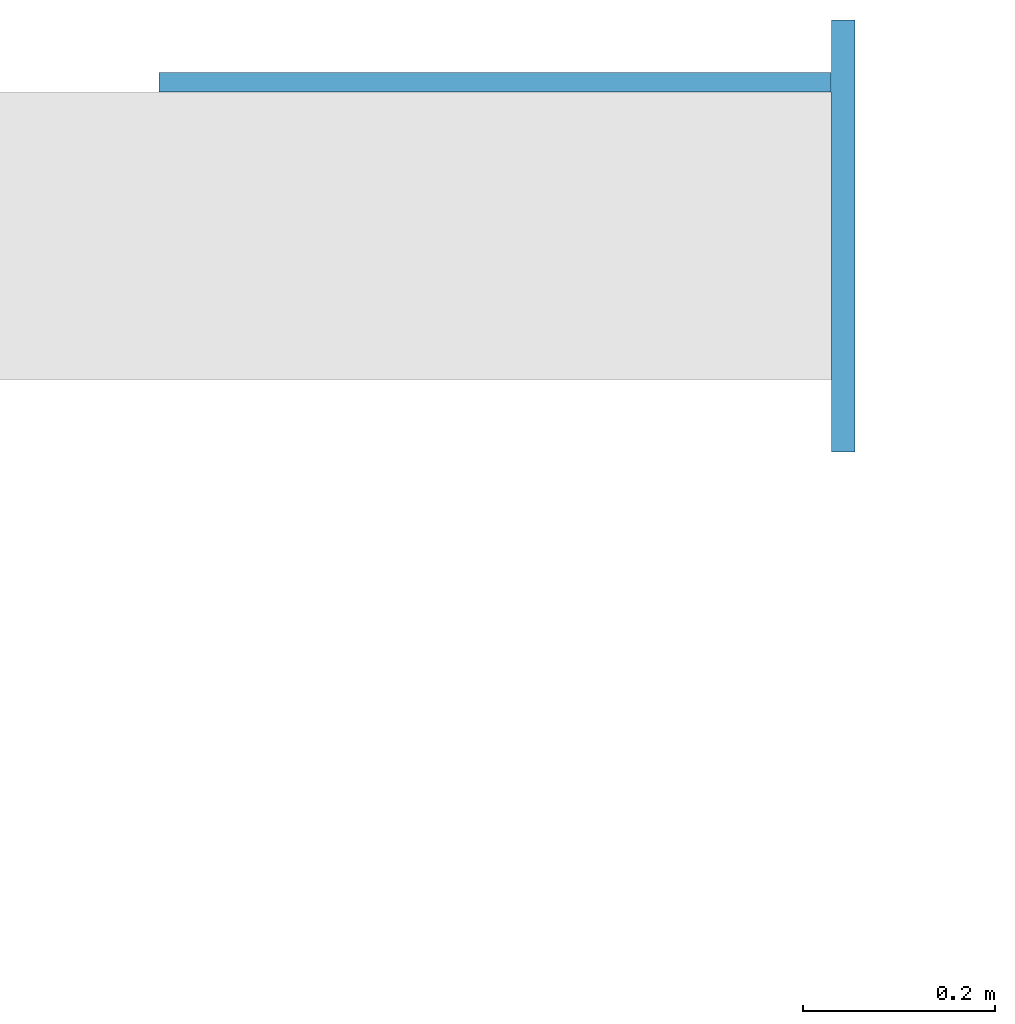
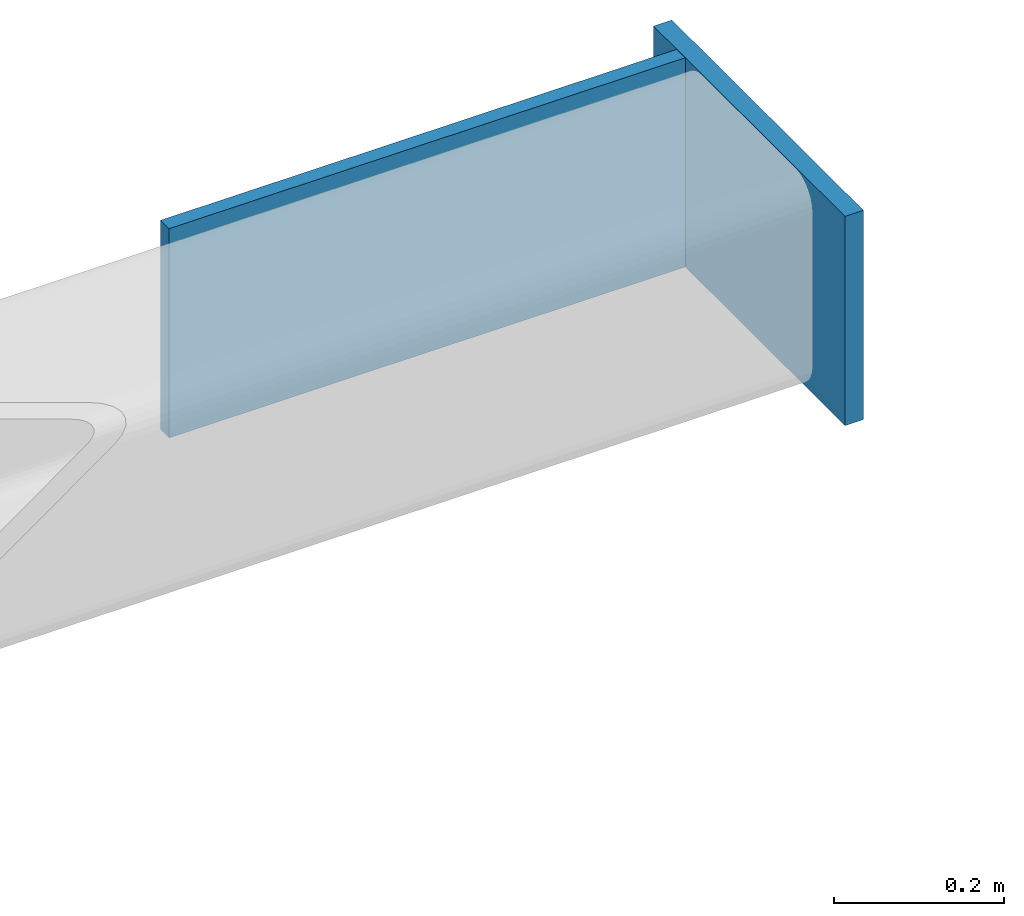
# One storey, part 3 of 20: 2 plates.
"""IFC4 building model written with IfcOpenShell, lengths in metres."""

import ifcopenshell
import ifcopenshell.guid

model = None  # the IFC model being written
_history = None  # IfcOwnerHistory: only IFC2X3 demands one
_inside = {}  # id of a spatial element -> (the spatial element, [elements in it])
_under = {}  # id of a project, library or spatial element -> (it, [spatial elements below it])
_declared = {}  # id of a project -> (the project, [libraries it declares])
_typed = {}  # id of a type object -> (the type object, [elements of that type])
_made_of = {}  # id of a material, layer set ... -> (it, [elements and type objects made of it])


def new_model(schema):
    """Start an empty IFC model of exactly this schema.

    Asked for "IFC4X3", IfcOpenShell would pick the latest addendum, in which some entities
    have other attributes; the version numbers below select the first issue.
    IFC2X3 requires an IfcOwnerHistory on every rooted entity: one is made here for all.
    """
    global model, _history
    if schema == "IFC4X3":
        model = ifcopenshell.file(schema_version=(4, 3, 0, 0))
    else:
        model = ifcopenshell.file(schema=schema)
    _inside.clear()
    _under.clear()
    _declared.clear()
    _typed.clear()
    _made_of.clear()
    _history = None
    if model.schema == "IFC2X3":
        org = make("IfcOrganization", Name="unknown")
        user = make(
            "IfcPersonAndOrganization",
            ThePerson=make("IfcPerson", FamilyName="unknown"),
            TheOrganization=org,
        )
        app = make(
            "IfcApplication",
            ApplicationDeveloper=org,
            Version="unknown",
            ApplicationFullName="unknown",
            ApplicationIdentifier="unknown",
        )
        _history = make(
            "IfcOwnerHistory",
            OwningUser=user,
            OwningApplication=app,
            ChangeAction="ADDED",
            CreationDate=0,
        )
    return model


def make(cls, **values):
    """One entity of the class cls with the attributes given. An attribute that is None is left unset."""
    return model.create_entity(
        cls, **{name: value for name, value in values.items() if value is not None}
    )


def rooted(cls, **values):
    """An entity with a GlobalId (a new one), such as an element, a storey or a relation."""
    return make(cls, GlobalId=ifcopenshell.guid.new(), OwnerHistory=_history, **values)


def si_unit(unit_type, name, prefix=None):
    """IfcSIUnit, for example si_unit("LENGTHUNIT", "METRE", prefix="MILLI")."""
    return make("IfcSIUnit", UnitType=unit_type, Prefix=prefix, Name=name)


def assignment(units):
    """IfcUnitAssignment: the units of a project."""
    return None if units is None else make("IfcUnitAssignment", Units=units)


def point(xyz):
    """IfcCartesianPoint."""
    return None if xyz is None else make("IfcCartesianPoint", Coordinates=xyz)


def direction(xyz):
    """IfcDirection."""
    return None if xyz is None else make("IfcDirection", DirectionRatios=xyz)


def frame(location, z_axis=None, x_axis=None):
    """IfcAxis2Placement3D, a coordinate frame: its origin and axes. An axis left out is left unset."""
    return make(
        "IfcAxis2Placement3D",
        Location=point(location),
        Axis=direction(z_axis),
        RefDirection=direction(x_axis),
    )


def frame_2d(location, x_axis=None):
    """IfcAxis2Placement2D, a coordinate frame in the plane: its origin and x axis."""
    return make(
        "IfcAxis2Placement2D", Location=point(location), RefDirection=direction(x_axis)
    )


def origin():
    """The frame at (0, 0, 0) with its axes left unset."""
    return frame((0.0, 0.0, 0.0))


def origin_2d():
    """The frame at (0, 0) in the plane with its x axis left unset."""
    return frame_2d((0.0, 0.0))


def place(relative_to, where):
    """IfcLocalPlacement: puts the frame where relative to a parent placement (None: the world)."""
    return make(
        "IfcLocalPlacement", PlacementRelTo=relative_to, RelativePlacement=where
    )


def context(
    kind, dimensions, precision=None, world=None, true_north=None, identifier=None
):
    """IfcGeometricRepresentationContext, for example the 3D "Model" context."""
    return make(
        "IfcGeometricRepresentationContext",
        ContextIdentifier=identifier,
        ContextType=kind,
        CoordinateSpaceDimension=dimensions,
        Precision=precision,
        WorldCoordinateSystem=world,
        TrueNorth=true_north,
    )


def subcontext(parent, identifier, kind, view, scale=None):
    """IfcGeometricRepresentationSubContext, for example "Body" below "Model"."""
    return make(
        "IfcGeometricRepresentationSubContext",
        ContextIdentifier=identifier,
        ContextType=kind,
        ParentContext=parent,
        TargetScale=scale,
        TargetView=view,
    )


def project(units=None, contexts=None):
    """IfcProject with its units and contexts."""
    return rooted(
        "IfcProject",
        Name="project",
        RepresentationContexts=contexts,
        UnitsInContext=assignment(units),
    )


def spatial(cls, under=None, at=None, **own):
    """A site, building, storey or space (cls), placed at a placement, below another one or the project."""
    s = rooted(cls, ObjectPlacement=at, **own)
    if under is not None:
        _under.setdefault(under.id(), (under, []))[1].append(s)
    return s


def profile(cls, at=None, kind="AREA", **sizes):
    """A parametric profile (cls). Its sizes go by their IFC names, for example OverallWidth=200.0."""
    return make(cls, ProfileType=kind, Position=at, **sizes)


def rectangle(**sizes):
    """IfcRectangleProfileDef."""
    return profile("IfcRectangleProfileDef", **sizes)


def extrude(swept, where, along, depth):
    """IfcExtrudedAreaSolid: the profile swept, set in the frame where, extruded along a direction by depth."""
    return make(
        "IfcExtrudedAreaSolid",
        SweptArea=swept,
        Position=where,
        ExtrudedDirection=direction(along),
        Depth=depth,
    )


def shape(context_of_items, identifier, shape_type, items):
    """IfcShapeRepresentation: the items that make up one representation, for example the "Body"."""
    return make(
        "IfcShapeRepresentation",
        ContextOfItems=context_of_items,
        RepresentationIdentifier=identifier,
        RepresentationType=shape_type,
        Items=items,
    )


def source(mapping_origin, context_of_items, identifier, shape_type, items):
    """IfcRepresentationMap: a shape defined once, which mapped items show again and again."""
    return make(
        "IfcRepresentationMap",
        MappingOrigin=mapping_origin,
        MappedRepresentation=shape(context_of_items, identifier, shape_type, items),
    )


def transform(
    local_origin,
    x_axis=None,
    y_axis=None,
    z_axis=None,
    scale=None,
    scale2=None,
    scale3=None,
    uniform=True,
):
    """IfcCartesianTransformationOperator3D, or its non-uniform kind. x_axis, y_axis, z_axis: its Axis1, 2, 3."""
    if uniform:
        return make(
            "IfcCartesianTransformationOperator3D",
            Axis1=direction(x_axis),
            Axis2=direction(y_axis),
            LocalOrigin=point(local_origin),
            Scale=scale,
            Axis3=direction(z_axis),
        )
    return make(
        "IfcCartesianTransformationOperator3DnonUniform",
        Axis1=direction(x_axis),
        Axis2=direction(y_axis),
        LocalOrigin=point(local_origin),
        Scale=scale,
        Axis3=direction(z_axis),
        Scale2=scale2,
        Scale3=scale3,
    )


def mapped(mapping_source, mapping_target):
    """IfcMappedItem: shows the shape of a source again, moved by a transform."""
    return make(
        "IfcMappedItem", MappingSource=mapping_source, MappingTarget=mapping_target
    )


def material(Name=None, Category=None):
    """IfcMaterial."""
    return make("IfcMaterial", Name=Name, Category=Category)


def layer(
    of_material, thickness, ventilated=None, Name=None, Category=None, Priority=None
):
    """IfcMaterialLayer: one layer of a wall or slab, of a material (None: an air gap)."""
    return make(
        "IfcMaterialLayer",
        Material=of_material,
        LayerThickness=thickness,
        IsVentilated=ventilated,
        Name=Name,
        Category=Category,
        Priority=Priority,
    )


def layer_set(layers, Name=None):
    """IfcMaterialLayerSet."""
    return make("IfcMaterialLayerSet", MaterialLayers=layers, LayerSetName=Name)


def made_of(thing, what):
    """Note that an element or type object is made of a material, layer set ...; save() writes the relation."""
    if what is not None:
        _made_of.setdefault(what.id(), (what, []))[1].append(thing)
    return thing


def type_object(cls, material=None, **own):
    """A type object (cls), such as IfcWallType, which elements share."""
    return made_of(rooted(cls, **own), material)


def element(
    cls,
    number,
    at=None,
    inside=None,
    cuts=None,
    type_object=None,
    material=None,
    context=None,
    identifier="Body",
    shape_type=None,
    held_by="IfcProductDefinitionShape",
    body=None,
    shapes=None,
    **own,
):
    """One element of the class cls, such as IfcWall. Its Tag is "e" and its number.

    at: its placement. inside: the storey or other place that contains it. cuts: it is an
    opening in that element (IfcRelVoidsElement). A single representation is given by context,
    identifier, shape_type and body (its items); several are given by shapes. held_by: the class
    of the entity that holds the representations. save() writes the other relations.
    """
    e = rooted(cls, Tag="e%d" % number, ObjectPlacement=at, **own)
    if body is not None:
        shapes = [shape(context, identifier, shape_type, body)]
    if shapes is not None:
        e.Representation = make(held_by, Representations=shapes)
    if inside is not None:
        _inside.setdefault(inside.id(), (inside, []))[1].append(e)
    if cuts is not None:
        rooted(
            "IfcRelVoidsElement", RelatingBuildingElement=cuts, RelatedOpeningElement=e
        )
    if type_object is not None:
        _typed.setdefault(type_object.id(), (type_object, []))[1].append(e)
    return made_of(e, material)


def aggregate(whole, parts):
    """IfcRelAggregates: a whole, such as a stair, and the parts it consists of."""
    return rooted("IfcRelAggregates", RelatingObject=whole, RelatedObjects=parts)


def save(model, path):
    """Write the relations noted so far, then the file.

    IfcRelAggregates (storeys below a building ...), IfcRelContainedInSpatialStructure (elements
    in a storey), IfcRelDefinesByType, IfcRelAssociatesMaterial and IfcRelDeclares: one each for
    every whole, place, type object, material and project.
    """
    for whole, parts in _under.values():
        aggregate(whole, parts)
    for where, things in _inside.values():
        rooted(
            "IfcRelContainedInSpatialStructure",
            RelatedElements=things,
            RelatingStructure=where,
        )
    for kind, things in _typed.values():
        rooted("IfcRelDefinesByType", RelatedObjects=things, RelatingType=kind)
    for what, things in _made_of.values():
        rooted("IfcRelAssociatesMaterial", RelatedObjects=things, RelatingMaterial=what)
    for by, libraries in _declared.values():
        rooted("IfcRelDeclares", RelatingContext=by, RelatedDefinitions=libraries)
    model.write(path)


model = new_model("IFC4")

# Units and contexts
model_context = context("Model", 3, precision=1e-05, world=origin(), true_north=direction((0.0, 1.0)))
body_context = subcontext(model_context, "Body", "Model", "MODEL_VIEW")
ifc_project = project(units=[si_unit("LENGTHUNIT", "METRE"), si_unit("AREAUNIT", "SQUARE_METRE"), si_unit("VOLUMEUNIT", "CUBIC_METRE"), si_unit("PLANEANGLEUNIT", "RADIAN"), si_unit("MASSUNIT", "GRAM", prefix="KILO")], contexts=[model_context])

# Site, building, storey
site_placement = place(None, origin())
site = spatial("IfcSite", under=ifc_project, at=site_placement, CompositionType="ELEMENT")
building_placement = place(site_placement, origin())
building = spatial("IfcBuilding", under=site, at=building_placement, Name="Poui Terraces", CompositionType="ELEMENT")
storey_placement = place(building_placement, frame((0.0, 0.0, 257.699951171875)))
storey = spatial("IfcBuildingStorey", under=building, at=storey_placement, Name="L72", CompositionType="ELEMENT", Elevation=257.699951171875)

# Plates
ifc_material = material(Name="Steel Grade 350 MPa", Category="steel")
ifc_layer_1 = layer(ifc_material, 0.02490234375)
ifc_layer_set_1 = layer_set([ifc_layer_1], Name="Steel Grade 350 MPa")
plate_type_1 = type_object("IfcPlateType", Name="CAST-IN PLATE 450x25 LOWER", PredefinedType="SHEET", material=ifc_layer_set_1)
shared_shape_1 = source(origin(), body_context, "Body", "SweptSolid", [
    extrude(rectangle(XDim=0.02490234375, YDim=0.449951171875, at=origin_2d()), origin(), (0.0, 0.0, 1.0), 0.300048828125),
])
plate_1_placement = place(storey_placement, frame((71.8125, 50.89990234375, 2.10009765625), z_axis=(0.0, 0.0, 1.0), x_axis=(1.0, 0.0, 0.0)))
element("IfcPlate", 1, at=plate_1_placement, inside=storey, type_object=plate_type_1, Name="CAST-IN PLATE", PredefinedType="SHEET", context=body_context, shape_type="MappedRepresentation", body=[
    mapped(shared_shape_1, transform((0.0, 0.0, 0.0))),
])
ifc_layer_2 = layer(ifc_material, 0.02001953125)
ifc_layer_set_2 = layer_set([ifc_layer_2], Name="Steel Grade 350 MPa")
plate_type_2 = type_object("IfcPlateType", Name="TRUSS NODE PLATE 700x20 BOTTOM CHORD", PredefinedType="SHEET", material=ifc_layer_set_2)
shared_shape_2 = source(origin(), body_context, "Body", "SweptSolid", [
    extrude(rectangle(XDim=0.699951171875, YDim=0.02001953125, at=origin_2d()), origin(), (0.0, 0.0, 1.0), 0.300048828125),
])
plate_2_placement = place(storey_placement, frame((71.449951171875, 51.06005859375, 2.10009765625), z_axis=(0.0, 0.0, 1.0), x_axis=(1.0, 0.0, 0.0)))
element("IfcPlate", 2, at=plate_2_placement, inside=storey, type_object=plate_type_2, Name="TRUSS NODE PLATE", PredefinedType="SHEET", context=body_context, shape_type="MappedRepresentation", body=[
    mapped(shared_shape_2, transform((0.0, 0.0, 0.0))),
])

save(model, "model.ifc")
